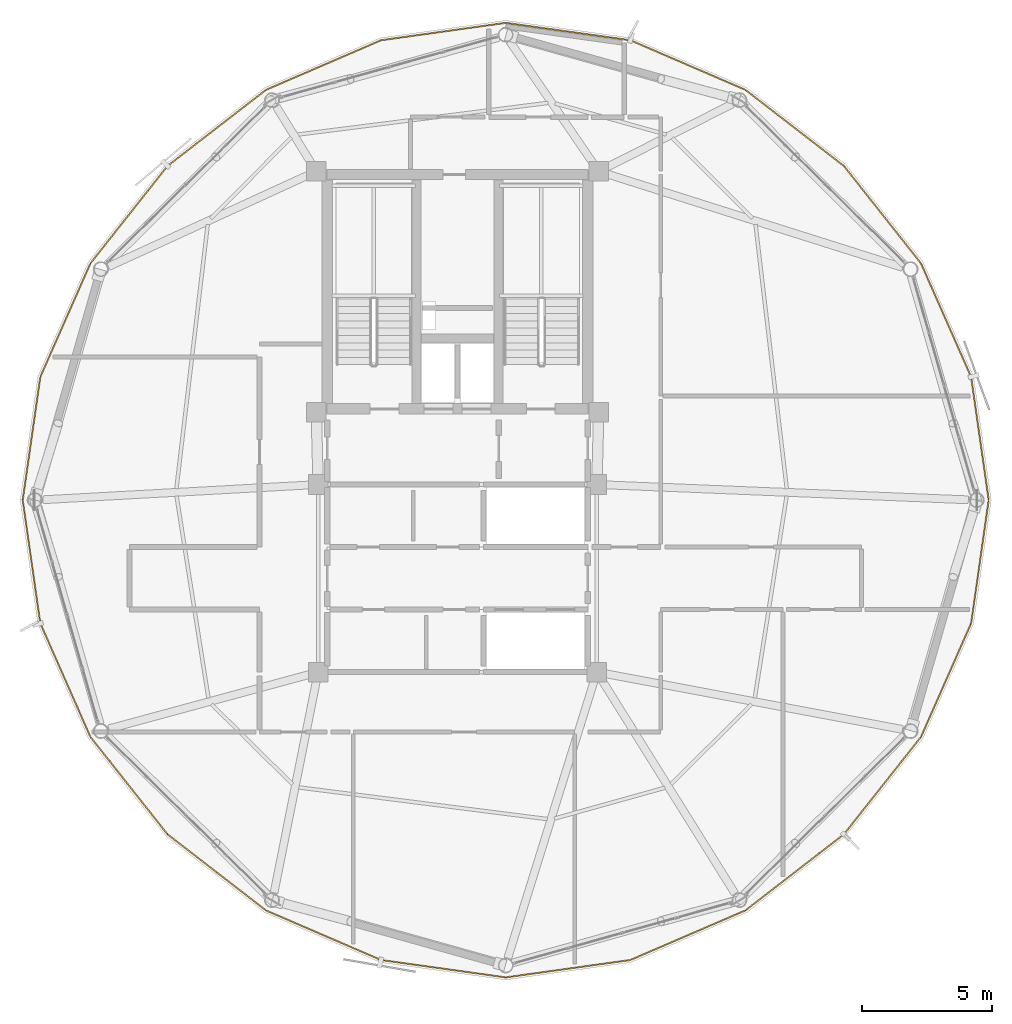
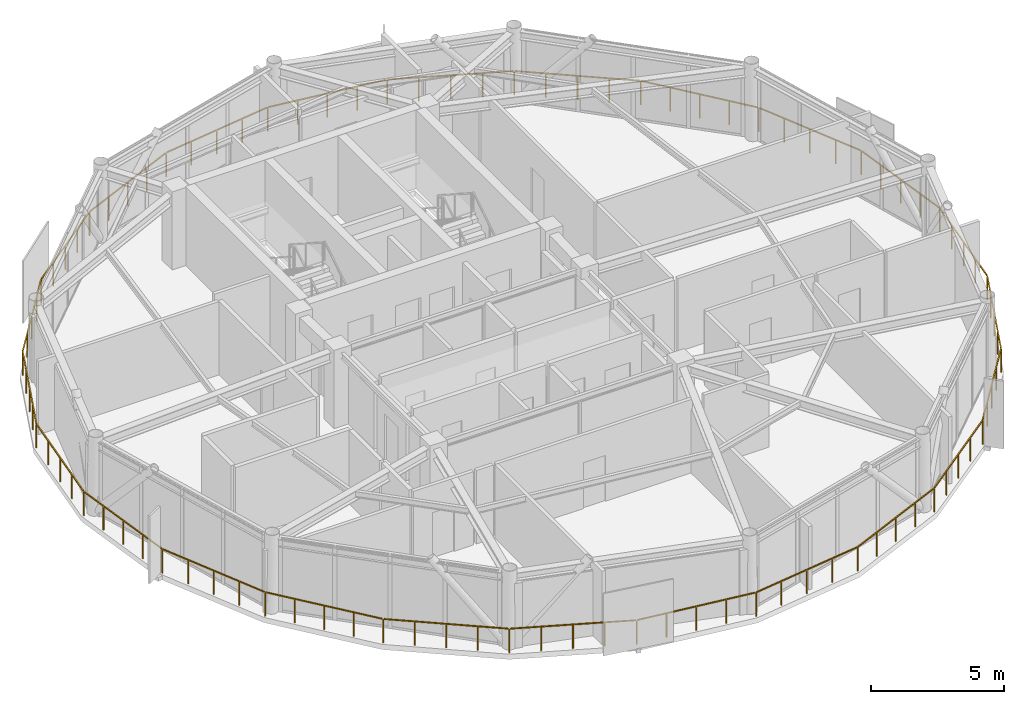
# One storey, part 25 of 26: 1 railing.
"""IFC4 building model written with IfcOpenShell, lengths in metres."""

from ifc_helpers import new_model, si_unit, direction, frame, origin, origin_2d, place, context, subcontext, project, spatial, rectangle, extrude, material, type_object, element, save


model = new_model("IFC4")

# Units and contexts
model_context = context("Model", 3, precision=1e-05, world=origin(), true_north=direction((0.0, 1.0)))
body_context = subcontext(model_context, "Body", "Model", "MODEL_VIEW")
ifc_project = project(units=[si_unit("LENGTHUNIT", "METRE"), si_unit("AREAUNIT", "SQUARE_METRE"), si_unit("VOLUMEUNIT", "CUBIC_METRE"), si_unit("PLANEANGLEUNIT", "RADIAN"), si_unit("MASSUNIT", "GRAM", prefix="KILO")], contexts=[model_context])

# Site, building, storey
site_placement = place(None, origin())
site = spatial("IfcSite", under=ifc_project, at=site_placement, CompositionType="ELEMENT")
building_placement = place(site_placement, origin())
building = spatial("IfcBuilding", under=site, at=building_placement, Name="Varnakorn Sky Granary", CompositionType="ELEMENT")
storey_placement = place(building_placement, frame((0.0, 0.0, 270.60009765625)))
storey = spatial("IfcBuildingStorey", under=building, at=storey_placement, Name="L69", CompositionType="ELEMENT", Elevation=270.60009765625)

# Railing
ifc_material = material(Name="Anodised Bronze Aluminium Alloy 6063-T6", Category="aluminium")
railing_type = type_object("IfcRailingType", Name="RL-BAL-1120", PredefinedType="BALUSTRADE", material=ifc_material)
railing_placement = place(storey_placement, frame((23.387939453125, 0.0, 0.0)))
element("IfcRailing", 1, at=railing_placement, inside=storey, type_object=railing_type, Name="Perimeter Slab-Edge Safety Guard L69", PredefinedType="BALUSTRADE", context=body_context, shape_type="SweptSolid", body=[
    extrude(rectangle(XDim=0.048095703125, YDim=0.048095703125, at=origin_2d()), frame((-0.00390625, -0.02783203125, 1.09619140625), z_axis=(-0.141249584798, -0.989974017232, 0.0), x_axis=(0.989974017232, -0.141249584798, 0.0)), (0.0, 0.0, 1.0), 4.7197265625),
    extrude(rectangle(XDim=0.048095703125, YDim=0.048095703125, at=origin_2d()), frame((-0.685791015625, -4.75341796875, 1.09619140625), z_axis=(-0.403704499867, -0.914889434187, 0.0), x_axis=(0.914889434187, -0.403704499867, 0.0)), (0.0, 0.0, 1.0), 4.7119140625),
    extrude(rectangle(XDim=0.048095703125, YDim=0.048095703125, at=origin_2d()), frame((-2.61669921875, -9.11181640625, 1.09619140625), z_axis=(-0.620655688552, -0.784083232998, 0.0), x_axis=(0.784083232998, -0.620655688552, 0.0)), (0.0, 0.0, 1.0), 4.7080078125),
    extrude(rectangle(XDim=0.048095703125, YDim=0.048095703125, at=origin_2d()), frame((-5.578369140625, -12.84228515625, 1.09619140625), z_axis=(-0.791216459076, -0.611536192622, 0.0), x_axis=(0.611536192622, -0.791216459076, 0.0)), (0.0, 0.0, 1.0), 4.72265625),
    extrude(rectangle(XDim=0.048095703125, YDim=0.048095703125, at=origin_2d()), frame((-9.36279296875, -15.758544921875, 1.09619140625), z_axis=(-0.918336814925, -0.395799816009, 0.0), x_axis=(0.395799816009, -0.918336814925, 0.0)), (0.0, 0.0, 1.0), 4.752197265625),
    extrude(rectangle(XDim=0.048095703125, YDim=0.048095703125, at=origin_2d()), frame((-13.780517578125, -17.654541015625, 1.09619140625), z_axis=(-0.99041100639, -0.138152229157, 0.0), x_axis=(0.138152229157, -0.99041100639, 0.0)), (0.0, 0.0, 1.0), 4.775390625),
    extrude(rectangle(XDim=0.048095703125, YDim=0.048095703125, at=origin_2d()), frame((-18.565673828125, -18.314208984375, 1.09619140625), z_axis=(-0.990411970758, 0.138145315446, 0.0), x_axis=(-0.138145315446, -0.990411970758, 0.0)), (0.0, 0.0, 1.0), 4.775634765625),
    extrude(rectangle(XDim=0.048095703125, YDim=0.048095703125, at=origin_2d()), frame((-23.348876953125, -17.6396484375, 1.09619140625), z_axis=(-0.918336814925, 0.395799816009, 0.0), x_axis=(-0.395799816009, -0.918336814925, 0.0)), (0.0, 0.0, 1.0), 4.752197265625),
    extrude(rectangle(XDim=0.048095703125, YDim=0.048095703125, at=origin_2d()), frame((-27.760986328125, -15.73046875, 1.09619140625), z_axis=(-0.791197351805, 0.611560913154, 0.0), x_axis=(-0.611560913154, -0.791197351805, 0.0)), (0.0, 0.0, 1.0), 4.722412109375),
    extrude(rectangle(XDim=0.048095703125, YDim=0.048095703125, at=origin_2d()), frame((-31.536865234375, -12.80322265625, 1.09619140625), z_axis=(-0.620687193179, 0.784058293894, 0.0), x_axis=(-0.784058293894, -0.620687193179, 0.0)), (0.0, 0.0, 1.0), 4.7080078125),
    extrude(rectangle(XDim=0.048095703125, YDim=0.048095703125, at=origin_2d()), frame((-34.48779296875, -9.064208984375, 1.09619140625), z_axis=(-0.403661638338, 0.914908346084, 0.0), x_axis=(-0.914908346084, -0.403661638338, 0.0)), (0.0, 0.0, 1.0), 4.711669921875),
    extrude(rectangle(XDim=0.048095703125, YDim=0.048095703125, at=origin_2d()), frame((-36.405029296875, -4.699951171875, 1.09619140625), z_axis=(-0.14129968612, 0.989966867477, 0.0), x_axis=(-0.989966867477, -0.14129968612, 0.0)), (0.0, 0.0, 1.0), 4.7197265625),
    extrude(rectangle(XDim=0.048095703125, YDim=0.048095703125, at=origin_2d()), frame((-37.072021484375, 0.02783203125, 1.09619140625), z_axis=(0.14129968612, 0.989966867477, 0.0), x_axis=(-0.989966867477, 0.14129968612, 0.0)), (0.0, 0.0, 1.0), 4.7197265625),
    extrude(rectangle(XDim=0.048095703125, YDim=0.048095703125, at=origin_2d()), frame((-36.389892578125, 4.75341796875, 1.09619140625), z_axis=(0.403661638338, 0.914908346084, 0.0), x_axis=(-0.914908346084, 0.403661638338, 0.0)), (0.0, 0.0, 1.0), 4.711669921875),
    extrude(rectangle(XDim=0.048095703125, YDim=0.048095703125, at=origin_2d()), frame((-34.459228515625, 9.11181640625, 1.09619140625), z_axis=(0.620687193179, 0.784058293894, 0.0), x_axis=(-0.784058293894, 0.620687193179, 0.0)), (0.0, 0.0, 1.0), 4.7080078125),
    extrude(rectangle(XDim=0.048095703125, YDim=0.048095703125, at=origin_2d()), frame((-31.497314453125, 12.84228515625, 1.09619140625), z_axis=(0.791197351805, 0.611560913154, 0.0), x_axis=(-0.611560913154, 0.791197351805, 0.0)), (0.0, 0.0, 1.0), 4.722412109375),
    extrude(rectangle(XDim=0.048095703125, YDim=0.048095703125, at=origin_2d()), frame((-27.713134765625, 15.758544921875, 1.09619140625), z_axis=(0.918336814925, 0.395799816009, 0.0), x_axis=(-0.395799816009, 0.918336814925, 0.0)), (0.0, 0.0, 1.0), 4.752197265625),
    extrude(rectangle(XDim=0.048095703125, YDim=0.048095703125, at=origin_2d()), frame((-23.29541015625, 17.654541015625, 1.09619140625), z_axis=(0.990411970758, 0.138145315446, 0.0), x_axis=(-0.138145315446, 0.990411970758, 0.0)), (0.0, 0.0, 1.0), 4.775634765625),
    extrude(rectangle(XDim=0.048095703125, YDim=0.048095703125, at=origin_2d()), frame((-18.510009765625, 18.314208984375, 1.09619140625), z_axis=(0.99041100639, -0.138152229157, 0.0), x_axis=(0.138152229157, 0.99041100639, 0.0)), (0.0, 0.0, 1.0), 4.775390625),
    extrude(rectangle(XDim=0.048095703125, YDim=0.048095703125, at=origin_2d()), frame((-13.72705078125, 17.6396484375, 1.09619140625), z_axis=(0.918336814925, -0.395799816009, 0.0), x_axis=(0.395799816009, 0.918336814925, 0.0)), (0.0, 0.0, 1.0), 4.752197265625),
    extrude(rectangle(XDim=0.048095703125, YDim=0.048095703125, at=origin_2d()), frame((-9.31494140625, 15.73046875, 1.09619140625), z_axis=(0.791216459076, -0.611536192622, 0.0), x_axis=(0.611536192622, 0.791216459076, 0.0)), (0.0, 0.0, 1.0), 4.72265625),
    extrude(rectangle(XDim=0.048095703125, YDim=0.048095703125, at=origin_2d()), frame((-5.538818359375, 12.80322265625, 1.09619140625), z_axis=(0.620655688552, -0.784083232998, 0.0), x_axis=(0.784083232998, 0.620655688552, 0.0)), (0.0, 0.0, 1.0), 4.7080078125),
    extrude(rectangle(XDim=0.048095703125, YDim=0.048095703125, at=origin_2d()), frame((-2.588134765625, 9.064208984375, 1.09619140625), z_axis=(0.403704499867, -0.914889434187, 0.0), x_axis=(0.914889434187, 0.403704499867, 0.0)), (0.0, 0.0, 1.0), 4.7119140625),
    extrude(rectangle(XDim=0.048095703125, YDim=0.048095703125, at=origin_2d()), frame((-0.670654296875, 4.699951171875, 1.09619140625), z_axis=(0.141249584798, -0.989974017232, 0.0), x_axis=(0.989974017232, 0.141249584798, 0.0)), (0.0, 0.0, 1.0), 4.7197265625),
    extrude(rectangle(XDim=0.0419921875, YDim=0.0419921875, at=origin_2d()), origin(), (0.0, 0.0, 1.0), 1.068115234375),
    extrude(rectangle(XDim=0.0419921875, YDim=0.0419921875, at=origin_2d()), frame((-0.168701171875, -1.181884765625, 0.0)), (0.0, 0.0, 1.0), 1.068115234375),
    extrude(rectangle(XDim=0.0419921875, YDim=0.0419921875, at=origin_2d()), frame((-0.33740234375, -2.36376953125, 0.0)), (0.0, 0.0, 1.0), 1.068115234375),
    extrude(rectangle(XDim=0.0419921875, YDim=0.0419921875, at=origin_2d()), frame((-0.505859375, -3.5458984375, 0.0)), (0.0, 0.0, 1.0), 1.068115234375),
    extrude(rectangle(XDim=0.0419921875, YDim=0.0419921875, at=origin_2d()), frame((-0.674560546875, -4.727783203125, 0.0)), (0.0, 0.0, 1.0), 1.068115234375),
    extrude(rectangle(XDim=0.0419921875, YDim=0.0419921875, at=origin_2d()), frame((-1.15576171875, -5.818359375, 0.0)), (0.0, 0.0, 1.0), 1.068115234375),
    extrude(rectangle(XDim=0.0419921875, YDim=0.0419921875, at=origin_2d()), frame((-1.636962890625, -6.90869140625, 0.0)), (0.0, 0.0, 1.0), 1.068115234375),
    extrude(rectangle(XDim=0.0419921875, YDim=0.0419921875, at=origin_2d()), frame((-2.1181640625, -7.999267578125, 0.0)), (0.0, 0.0, 1.0), 1.068115234375),
    extrude(rectangle(XDim=0.0419921875, YDim=0.0419921875, at=origin_2d()), frame((-2.599365234375, -9.08984375, 0.0)), (0.0, 0.0, 1.0), 1.068115234375),
    extrude(rectangle(XDim=0.0419921875, YDim=0.0419921875, at=origin_2d()), frame((-3.338623046875, -10.023681640625, 0.0)), (0.0, 0.0, 1.0), 1.068115234375),
    extrude(rectangle(XDim=0.0419921875, YDim=0.0419921875, at=origin_2d()), frame((-4.07763671875, -10.95751953125, 0.0)), (0.0, 0.0, 1.0), 1.068115234375),
    extrude(rectangle(XDim=0.0419921875, YDim=0.0419921875, at=origin_2d()), frame((-4.81689453125, -11.891357421875, 0.0)), (0.0, 0.0, 1.0), 1.068115234375),
    extrude(rectangle(XDim=0.0419921875, YDim=0.0419921875, at=origin_2d()), frame((-5.55615234375, -12.8251953125, 0.0)), (0.0, 0.0, 1.0), 1.068115234375),
    extrude(rectangle(XDim=0.0419921875, YDim=0.0419921875, at=origin_2d()), frame((-6.50146484375, -13.5556640625, 0.0)), (0.0, 0.0, 1.0), 1.068115234375),
    extrude(rectangle(XDim=0.0419921875, YDim=0.0419921875, at=origin_2d()), frame((-7.44677734375, -14.286376953125, 0.0)), (0.0, 0.0, 1.0), 1.068115234375),
    extrude(rectangle(XDim=0.0419921875, YDim=0.0419921875, at=origin_2d()), frame((-8.391845703125, -15.01708984375, 0.0)), (0.0, 0.0, 1.0), 1.068115234375),
    extrude(rectangle(XDim=0.0419921875, YDim=0.0419921875, at=origin_2d()), frame((-9.337158203125, -15.74755859375, 0.0)), (0.0, 0.0, 1.0), 1.068115234375),
    extrude(rectangle(XDim=0.0419921875, YDim=0.0419921875, at=origin_2d()), frame((-10.44091796875, -16.223388671875, 0.0)), (0.0, 0.0, 1.0), 1.068115234375),
    extrude(rectangle(XDim=0.0419921875, YDim=0.0419921875, at=origin_2d()), frame((-11.544921875, -16.69921875, 0.0)), (0.0, 0.0, 1.0), 1.068115234375),
    extrude(rectangle(XDim=0.0419921875, YDim=0.0419921875, at=origin_2d()), frame((-12.64892578125, -17.1748046875, 0.0)), (0.0, 0.0, 1.0), 1.068115234375),
    extrude(rectangle(XDim=0.0419921875, YDim=0.0419921875, at=origin_2d()), frame((-13.752685546875, -17.650634765625, 0.0)), (0.0, 0.0, 1.0), 1.068115234375),
    extrude(rectangle(XDim=0.0419921875, YDim=0.0419921875, at=origin_2d()), frame((-14.948974609375, -17.8173828125, 0.0)), (0.0, 0.0, 1.0), 1.068115234375),
    extrude(rectangle(XDim=0.0419921875, YDim=0.0419921875, at=origin_2d()), frame((-16.145263671875, -17.984375, 0.0)), (0.0, 0.0, 1.0), 1.068115234375),
    extrude(rectangle(XDim=0.0419921875, YDim=0.0419921875, at=origin_2d()), frame((-17.341552734375, -18.1513671875, 0.0)), (0.0, 0.0, 1.0), 1.068115234375),
    extrude(rectangle(XDim=0.0419921875, YDim=0.0419921875, at=origin_2d()), frame((-18.537841796875, -18.318115234375, 0.0)), (0.0, 0.0, 1.0), 1.068115234375),
    extrude(rectangle(XDim=0.0419921875, YDim=0.0419921875, at=origin_2d()), frame((-19.734130859375, -18.1513671875, 0.0)), (0.0, 0.0, 1.0), 1.068115234375),
    extrude(rectangle(XDim=0.0419921875, YDim=0.0419921875, at=origin_2d()), frame((-20.9306640625, -17.984375, 0.0)), (0.0, 0.0, 1.0), 1.068115234375),
    extrude(rectangle(XDim=0.0419921875, YDim=0.0419921875, at=origin_2d()), frame((-22.126953125, -17.8173828125, 0.0)), (0.0, 0.0, 1.0), 1.068115234375),
    extrude(rectangle(XDim=0.0419921875, YDim=0.0419921875, at=origin_2d()), frame((-23.3232421875, -17.650634765625, 0.0)), (0.0, 0.0, 1.0), 1.068115234375),
    extrude(rectangle(XDim=0.0419921875, YDim=0.0419921875, at=origin_2d()), frame((-24.42724609375, -17.1748046875, 0.0)), (0.0, 0.0, 1.0), 1.068115234375),
    extrude(rectangle(XDim=0.0419921875, YDim=0.0419921875, at=origin_2d()), frame((-25.531005859375, -16.69921875, 0.0)), (0.0, 0.0, 1.0), 1.068115234375),
    extrude(rectangle(XDim=0.0419921875, YDim=0.0419921875, at=origin_2d()), frame((-26.634765625, -16.223388671875, 0.0)), (0.0, 0.0, 1.0), 1.068115234375),
    extrude(rectangle(XDim=0.0419921875, YDim=0.0419921875, at=origin_2d()), frame((-27.73876953125, -15.74755859375, 0.0)), (0.0, 0.0, 1.0), 1.068115234375),
    extrude(rectangle(XDim=0.0419921875, YDim=0.0419921875, at=origin_2d()), frame((-28.68408203125, -15.01708984375, 0.0)), (0.0, 0.0, 1.0), 1.068115234375),
    extrude(rectangle(XDim=0.0419921875, YDim=0.0419921875, at=origin_2d()), frame((-29.629150390625, -14.286376953125, 0.0)), (0.0, 0.0, 1.0), 1.068115234375),
    extrude(rectangle(XDim=0.0419921875, YDim=0.0419921875, at=origin_2d()), frame((-30.57421875, -13.5556640625, 0.0)), (0.0, 0.0, 1.0), 1.068115234375),
    extrude(rectangle(XDim=0.0419921875, YDim=0.0419921875, at=origin_2d()), frame((-31.51953125, -12.8251953125, 0.0)), (0.0, 0.0, 1.0), 1.068115234375),
    extrude(rectangle(XDim=0.0419921875, YDim=0.0419921875, at=origin_2d()), frame((-32.2587890625, -11.891357421875, 0.0)), (0.0, 0.0, 1.0), 1.068115234375),
    extrude(rectangle(XDim=0.0419921875, YDim=0.0419921875, at=origin_2d()), frame((-32.998046875, -10.95751953125, 0.0)), (0.0, 0.0, 1.0), 1.068115234375),
    extrude(rectangle(XDim=0.0419921875, YDim=0.0419921875, at=origin_2d()), frame((-33.7373046875, -10.023681640625, 0.0)), (0.0, 0.0, 1.0), 1.068115234375),
    extrude(rectangle(XDim=0.0419921875, YDim=0.0419921875, at=origin_2d()), frame((-34.4765625, -9.08984375, 0.0)), (0.0, 0.0, 1.0), 1.068115234375),
    extrude(rectangle(XDim=0.0419921875, YDim=0.0419921875, at=origin_2d()), frame((-34.957763671875, -7.999267578125, 0.0)), (0.0, 0.0, 1.0), 1.068115234375),
    extrude(rectangle(XDim=0.0419921875, YDim=0.0419921875, at=origin_2d()), frame((-35.43896484375, -6.90869140625, 0.0)), (0.0, 0.0, 1.0), 1.068115234375),
    extrude(rectangle(XDim=0.0419921875, YDim=0.0419921875, at=origin_2d()), frame((-35.919921875, -5.818359375, 0.0)), (0.0, 0.0, 1.0), 1.068115234375),
    extrude(rectangle(XDim=0.0419921875, YDim=0.0419921875, at=origin_2d()), frame((-36.401123046875, -4.727783203125, 0.0)), (0.0, 0.0, 1.0), 1.068115234375),
    extrude(rectangle(XDim=0.0419921875, YDim=0.0419921875, at=origin_2d()), frame((-36.56982421875, -3.5458984375, 0.0)), (0.0, 0.0, 1.0), 1.068115234375),
    extrude(rectangle(XDim=0.0419921875, YDim=0.0419921875, at=origin_2d()), frame((-36.738525390625, -2.36376953125, 0.0)), (0.0, 0.0, 1.0), 1.068115234375),
    extrude(rectangle(XDim=0.0419921875, YDim=0.0419921875, at=origin_2d()), frame((-36.9072265625, -1.181884765625, 0.0)), (0.0, 0.0, 1.0), 1.068115234375),
    extrude(rectangle(XDim=0.0419921875, YDim=0.0419921875, at=origin_2d()), frame((-37.075927734375, 0.0, 0.0)), (0.0, 0.0, 1.0), 1.068115234375),
    extrude(rectangle(XDim=0.0419921875, YDim=0.0419921875, at=origin_2d()), frame((-36.9072265625, 1.181884765625, 0.0)), (0.0, 0.0, 1.0), 1.068115234375),
    extrude(rectangle(XDim=0.0419921875, YDim=0.0419921875, at=origin_2d()), frame((-36.738525390625, 2.36376953125, 0.0)), (0.0, 0.0, 1.0), 1.068115234375),
    extrude(rectangle(XDim=0.0419921875, YDim=0.0419921875, at=origin_2d()), frame((-36.56982421875, 3.5458984375, 0.0)), (0.0, 0.0, 1.0), 1.068115234375),
    extrude(rectangle(XDim=0.0419921875, YDim=0.0419921875, at=origin_2d()), frame((-36.401123046875, 4.727783203125, 0.0)), (0.0, 0.0, 1.0), 1.068115234375),
    extrude(rectangle(XDim=0.0419921875, YDim=0.0419921875, at=origin_2d()), frame((-35.919921875, 5.818359375, 0.0)), (0.0, 0.0, 1.0), 1.068115234375),
    extrude(rectangle(XDim=0.0419921875, YDim=0.0419921875, at=origin_2d()), frame((-35.43896484375, 6.90869140625, 0.0)), (0.0, 0.0, 1.0), 1.068115234375),
    extrude(rectangle(XDim=0.0419921875, YDim=0.0419921875, at=origin_2d()), frame((-34.957763671875, 7.999267578125, 0.0)), (0.0, 0.0, 1.0), 1.068115234375),
    extrude(rectangle(XDim=0.0419921875, YDim=0.0419921875, at=origin_2d()), frame((-34.4765625, 9.08984375, 0.0)), (0.0, 0.0, 1.0), 1.068115234375),
    extrude(rectangle(XDim=0.0419921875, YDim=0.0419921875, at=origin_2d()), frame((-33.7373046875, 10.023681640625, 0.0)), (0.0, 0.0, 1.0), 1.068115234375),
    extrude(rectangle(XDim=0.0419921875, YDim=0.0419921875, at=origin_2d()), frame((-32.998046875, 10.95751953125, 0.0)), (0.0, 0.0, 1.0), 1.068115234375),
    extrude(rectangle(XDim=0.0419921875, YDim=0.0419921875, at=origin_2d()), frame((-32.2587890625, 11.891357421875, 0.0)), (0.0, 0.0, 1.0), 1.068115234375),
    extrude(rectangle(XDim=0.0419921875, YDim=0.0419921875, at=origin_2d()), frame((-31.51953125, 12.8251953125, 0.0)), (0.0, 0.0, 1.0), 1.068115234375),
    extrude(rectangle(XDim=0.0419921875, YDim=0.0419921875, at=origin_2d()), frame((-30.57421875, 13.5556640625, 0.0)), (0.0, 0.0, 1.0), 1.068115234375),
    extrude(rectangle(XDim=0.0419921875, YDim=0.0419921875, at=origin_2d()), frame((-29.629150390625, 14.286376953125, 0.0)), (0.0, 0.0, 1.0), 1.068115234375),
    extrude(rectangle(XDim=0.0419921875, YDim=0.0419921875, at=origin_2d()), frame((-28.68408203125, 15.01708984375, 0.0)), (0.0, 0.0, 1.0), 1.068115234375),
    extrude(rectangle(XDim=0.0419921875, YDim=0.0419921875, at=origin_2d()), frame((-27.73876953125, 15.74755859375, 0.0)), (0.0, 0.0, 1.0), 1.068115234375),
    extrude(rectangle(XDim=0.0419921875, YDim=0.0419921875, at=origin_2d()), frame((-26.634765625, 16.223388671875, 0.0)), (0.0, 0.0, 1.0), 1.068115234375),
    extrude(rectangle(XDim=0.0419921875, YDim=0.0419921875, at=origin_2d()), frame((-25.531005859375, 16.69921875, 0.0)), (0.0, 0.0, 1.0), 1.068115234375),
    extrude(rectangle(XDim=0.0419921875, YDim=0.0419921875, at=origin_2d()), frame((-24.42724609375, 17.1748046875, 0.0)), (0.0, 0.0, 1.0), 1.068115234375),
    extrude(rectangle(XDim=0.0419921875, YDim=0.0419921875, at=origin_2d()), frame((-23.3232421875, 17.650634765625, 0.0)), (0.0, 0.0, 1.0), 1.068115234375),
    extrude(rectangle(XDim=0.0419921875, YDim=0.0419921875, at=origin_2d()), frame((-22.126953125, 17.8173828125, 0.0)), (0.0, 0.0, 1.0), 1.068115234375),
    extrude(rectangle(XDim=0.0419921875, YDim=0.0419921875, at=origin_2d()), frame((-20.9306640625, 17.984375, 0.0)), (0.0, 0.0, 1.0), 1.068115234375),
    extrude(rectangle(XDim=0.0419921875, YDim=0.0419921875, at=origin_2d()), frame((-19.734130859375, 18.1513671875, 0.0)), (0.0, 0.0, 1.0), 1.068115234375),
    extrude(rectangle(XDim=0.0419921875, YDim=0.0419921875, at=origin_2d()), frame((-18.537841796875, 18.318115234375, 0.0)), (0.0, 0.0, 1.0), 1.068115234375),
    extrude(rectangle(XDim=0.0419921875, YDim=0.0419921875, at=origin_2d()), frame((-17.341552734375, 18.1513671875, 0.0)), (0.0, 0.0, 1.0), 1.068115234375),
    extrude(rectangle(XDim=0.0419921875, YDim=0.0419921875, at=origin_2d()), frame((-16.145263671875, 17.984375, 0.0)), (0.0, 0.0, 1.0), 1.068115234375),
    extrude(rectangle(XDim=0.0419921875, YDim=0.0419921875, at=origin_2d()), frame((-14.948974609375, 17.8173828125, 0.0)), (0.0, 0.0, 1.0), 1.068115234375),
    extrude(rectangle(XDim=0.0419921875, YDim=0.0419921875, at=origin_2d()), frame((-13.752685546875, 17.650634765625, 0.0)), (0.0, 0.0, 1.0), 1.068115234375),
    extrude(rectangle(XDim=0.0419921875, YDim=0.0419921875, at=origin_2d()), frame((-12.64892578125, 17.1748046875, 0.0)), (0.0, 0.0, 1.0), 1.068115234375),
    extrude(rectangle(XDim=0.0419921875, YDim=0.0419921875, at=origin_2d()), frame((-11.544921875, 16.69921875, 0.0)), (0.0, 0.0, 1.0), 1.068115234375),
    extrude(rectangle(XDim=0.0419921875, YDim=0.0419921875, at=origin_2d()), frame((-10.44091796875, 16.223388671875, 0.0)), (0.0, 0.0, 1.0), 1.068115234375),
    extrude(rectangle(XDim=0.0419921875, YDim=0.0419921875, at=origin_2d()), frame((-9.337158203125, 15.74755859375, 0.0)), (0.0, 0.0, 1.0), 1.068115234375),
    extrude(rectangle(XDim=0.0419921875, YDim=0.0419921875, at=origin_2d()), frame((-8.391845703125, 15.01708984375, 0.0)), (0.0, 0.0, 1.0), 1.068115234375),
    extrude(rectangle(XDim=0.0419921875, YDim=0.0419921875, at=origin_2d()), frame((-7.44677734375, 14.286376953125, 0.0)), (0.0, 0.0, 1.0), 1.068115234375),
    extrude(rectangle(XDim=0.0419921875, YDim=0.0419921875, at=origin_2d()), frame((-6.50146484375, 13.5556640625, 0.0)), (0.0, 0.0, 1.0), 1.068115234375),
    extrude(rectangle(XDim=0.0419921875, YDim=0.0419921875, at=origin_2d()), frame((-5.55615234375, 12.8251953125, 0.0)), (0.0, 0.0, 1.0), 1.068115234375),
    extrude(rectangle(XDim=0.0419921875, YDim=0.0419921875, at=origin_2d()), frame((-4.81689453125, 11.891357421875, 0.0)), (0.0, 0.0, 1.0), 1.068115234375),
    extrude(rectangle(XDim=0.0419921875, YDim=0.0419921875, at=origin_2d()), frame((-4.07763671875, 10.95751953125, 0.0)), (0.0, 0.0, 1.0), 1.068115234375),
    extrude(rectangle(XDim=0.0419921875, YDim=0.0419921875, at=origin_2d()), frame((-3.338623046875, 10.023681640625, 0.0)), (0.0, 0.0, 1.0), 1.068115234375),
    extrude(rectangle(XDim=0.0419921875, YDim=0.0419921875, at=origin_2d()), frame((-2.599365234375, 9.08984375, 0.0)), (0.0, 0.0, 1.0), 1.068115234375),
    extrude(rectangle(XDim=0.0419921875, YDim=0.0419921875, at=origin_2d()), frame((-2.1181640625, 7.999267578125, 0.0)), (0.0, 0.0, 1.0), 1.068115234375),
    extrude(rectangle(XDim=0.0419921875, YDim=0.0419921875, at=origin_2d()), frame((-1.636962890625, 6.90869140625, 0.0)), (0.0, 0.0, 1.0), 1.068115234375),
    extrude(rectangle(XDim=0.0419921875, YDim=0.0419921875, at=origin_2d()), frame((-1.15576171875, 5.818359375, 0.0)), (0.0, 0.0, 1.0), 1.068115234375),
    extrude(rectangle(XDim=0.0419921875, YDim=0.0419921875, at=origin_2d()), frame((-0.674560546875, 4.727783203125, 0.0)), (0.0, 0.0, 1.0), 1.068115234375),
    extrude(rectangle(XDim=0.0419921875, YDim=0.0419921875, at=origin_2d()), frame((-0.505859375, 3.5458984375, 0.0)), (0.0, 0.0, 1.0), 1.068115234375),
    extrude(rectangle(XDim=0.0419921875, YDim=0.0419921875, at=origin_2d()), frame((-0.33740234375, 2.36376953125, 0.0)), (0.0, 0.0, 1.0), 1.068115234375),
    extrude(rectangle(XDim=0.0419921875, YDim=0.0419921875, at=origin_2d()), frame((-0.168701171875, 1.181884765625, 0.0)), (0.0, 0.0, 1.0), 1.068115234375),
])

save(model, "model.ifc")
